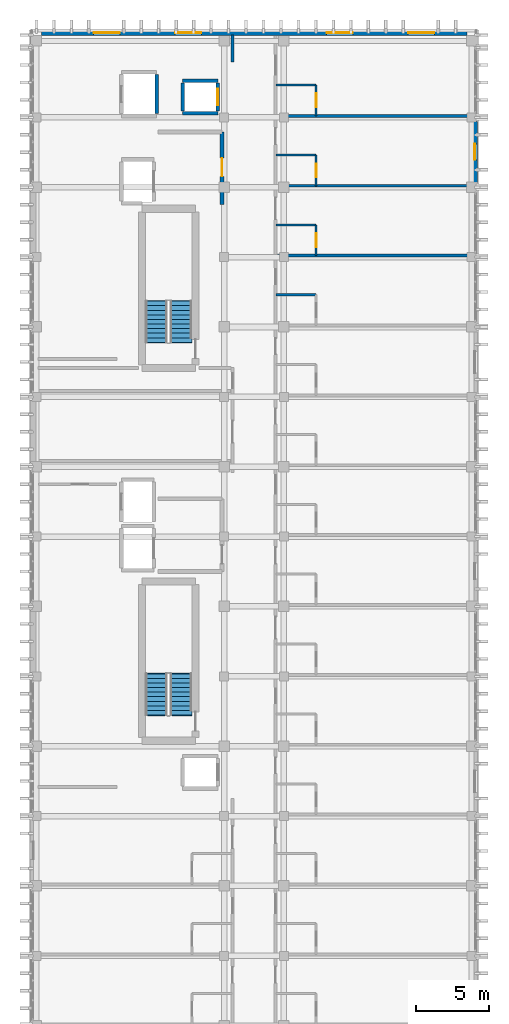
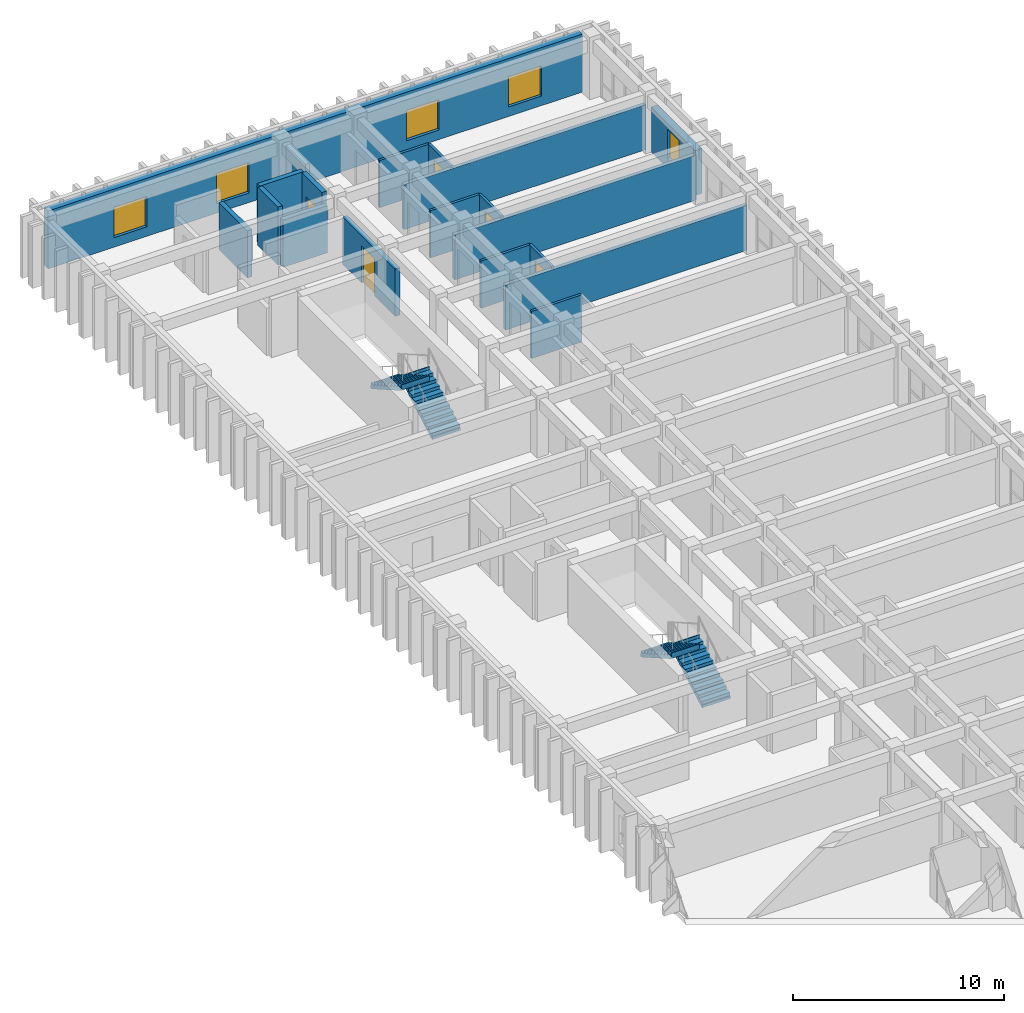
# One storey, part 51 of 59: 19 walls, 5 doors, 5 windows, 4 stair flights, 10 openings, 2 elements without a shape of their own.
"""IFC4 building model written with IfcOpenShell, lengths in metres."""

from ifc_helpers import new_model, si_unit, direction, frame, frame_2d, origin, place, context, subcontext, project, spatial, polyline, rectangle, outline, extrude, material, layer, layer_set, type_object, element, fill, aggregate, save


model = new_model("IFC4")

# Units and contexts
model_context = context("Model", 3, precision=1e-05, world=origin(), true_north=direction((0.0, 1.0)))
body_context = subcontext(model_context, "Body", "Model", "MODEL_VIEW")
ifc_project = project(units=[si_unit("LENGTHUNIT", "METRE"), si_unit("AREAUNIT", "SQUARE_METRE"), si_unit("VOLUMEUNIT", "CUBIC_METRE"), si_unit("PLANEANGLEUNIT", "RADIAN"), si_unit("MASSUNIT", "GRAM", prefix="KILO")], contexts=[model_context])

# Site, building, storey
site_placement = place(None, origin())
site = spatial("IfcSite", under=ifc_project, at=site_placement, CompositionType="ELEMENT")
building_placement = place(site_placement, origin())
building = spatial("IfcBuilding", under=site, at=building_placement, Name="Nakhvara Creek Congress Hotel", CompositionType="ELEMENT")
storey_placement = place(building_placement, frame((0.0, 0.0, 31.800048828125)))
storey = spatial("IfcBuildingStorey", under=building, at=storey_placement, Name="L07", CompositionType="ELEMENT", Elevation=31.800048828125)

# Walls
ifc_material_1 = material(Name="Gypsum acoustic board on steel stud", Category="steel")
ifc_layer_1 = layer(ifc_material_1, 0.219970703125)
ifc_layer_set_1 = layer_set([ifc_layer_1], Name="Gypsum acoustic board on steel stud")
wall_type_1 = type_object("IfcWallType", Name="W-CORR-220", PredefinedType="PARTITIONING", material=ifc_layer_set_1)
wall_1_placement = place(storey_placement, frame((162.919921875, 123.800048828125, 0.0), z_axis=(0.0, 0.0, 1.0), x_axis=(0.0, 1.0, 0.0)))
element("IfcWall", 1, at=wall_1_placement, inside=storey, type_object=wall_type_1, Name="Interior Wall WP11-IW-L07-0520", PredefinedType="PARTITIONING", context=body_context, shape_type="SweptSolid", body=[
    extrude(rectangle(XDim=1.849853515625, YDim=0.219970703125, at=frame_2d((0.9248046875, 0.0))), origin(), (0.0, 0.0, 1.0), 2.60205078125),
])
ifc_material_2 = material(Name="Moisture-resistant gypsum board partition")
ifc_layer_2 = layer(ifc_material_2, 0.139892578125)
ifc_layer_set_2 = layer_set([ifc_layer_2], Name="Moisture-resistant gypsum board partition")
wall_type_2 = type_object("IfcWallType", Name="W-ENS-140", PredefinedType="PARTITIONING", material=ifc_layer_set_2)
wall_2_placement = place(storey_placement, frame((165.919921875, 107.81591796875, 0.0), z_axis=(0.0, 0.0, 1.0), x_axis=(1.0, 0.0, 0.0)))
element("IfcWall", 2, at=wall_2_placement, inside=storey, type_object=wall_type_2, Name="Interior Wall WP15-IW-L07-0575", PredefinedType="PARTITIONING", context=body_context, shape_type="SweptSolid", body=[
    extrude(rectangle(XDim=2.75, YDim=0.139892578125, at=frame_2d((1.375, 0.0))), origin(), (0.0, 0.0, 1.0), 2.73193359375),
])

# Wall, opening, door
wall_3_placement = place(storey_placement, frame((168.669921875, 110.5, 0.0), z_axis=(0.0, 0.0, 1.0), x_axis=(0.0, 1.0, 0.0)))
wall_3 = element("IfcWall", 3, at=wall_3_placement, inside=storey, type_object=wall_type_2, Name="Interior Wall WP15-IW-L07-0577", PredefinedType="PARTITIONING", context=body_context, shape_type="SweptSolid", body=[
    extrude(rectangle(XDim=2.115966796875, YDim=0.139892578125, at=frame_2d((1.05810546875, 0.0))), origin(), (0.0, 0.0, 1.0), 2.73193359375),
])
opening_1_placement = place(wall_3_placement, frame((0.5830078125, 0.0, 0.0)))
opening_1 = element("IfcOpeningElement", 4, at=opening_1_placement, cuts=wall_3, Name="Opening ID02", PredefinedType="OPENING", context=body_context, shape_type="SweptSolid", body=[
    extrude(rectangle(XDim=0.9599609375, YDim=2.1201171875, at=frame_2d((0.47998046875, 1.06005859375))), frame((0.0, 0.08203125, 0.0), z_axis=(0.0, -1.0, 0.0), x_axis=(1.0, 0.0, 0.0)), (0.0, 0.0, 1.0), 0.163818359375),
])
ifc_material_3 = material(Name="Moisture-resistant walnut timber door", Category="wood")
door_type_1 = type_object("IfcDoorType", Name="DT-ENS-096", OperationType="NOTDEFINED", PredefinedType="DOOR", material=ifc_material_3)
door_1_placement = place(opening_1_placement, frame((0.9599609375, 0.0, 0.0), z_axis=(0.0, 0.0, 1.0), x_axis=(-1.0, 0.0, 0.0)))
door_1 = element("IfcDoor", 5, at=door_1_placement, inside=storey, type_object=door_type_1, Name="Interior Door ID02-0433", OperationType="SINGLE_SWING_RIGHT", OverallHeight=2.1201171875, OverallWidth=0.9599609375, PredefinedType="DOOR", context=body_context, shape_type="SweptSolid", body=[
    extrude(rectangle(XDim=0.9599609375, YDim=2.1201171875, at=frame_2d((0.47998046875, 1.06005859375))), frame((0.0, 0.02490234375, 0.0), z_axis=(0.0, -1.0, 0.0), x_axis=(1.0, 0.0, 0.0)), (0.0, 0.0, 1.0), 0.050048828125),
])
fill(opening_1, door_1)

# Wall
wall_4_placement = place(storey_placement, frame((165.919921875, 112.615966796875, 0.0), z_axis=(0.0, 0.0, 1.0), x_axis=(1.0, 0.0, 0.0)))
element("IfcWall", 6, at=wall_4_placement, inside=storey, type_object=wall_type_2, Name="Interior Wall WP15-IW-L07-0578", PredefinedType="PARTITIONING", context=body_context, shape_type="SweptSolid", body=[
    extrude(rectangle(XDim=2.75, YDim=0.139892578125, at=frame_2d((1.375, 0.0))), origin(), (0.0, 0.0, 1.0), 2.73193359375),
])

# Wall, opening, door
wall_5_placement = place(storey_placement, frame((168.669921875, 115.300048828125, 0.0), z_axis=(0.0, 0.0, 1.0), x_axis=(0.0, 1.0, 0.0)))
wall_5 = element("IfcWall", 7, at=wall_5_placement, inside=storey, type_object=wall_type_2, Name="Interior Wall WP15-IW-L07-0580", PredefinedType="PARTITIONING", context=body_context, shape_type="SweptSolid", body=[
    extrude(rectangle(XDim=2.115966796875, YDim=0.139892578125, at=frame_2d((1.05810546875, 0.0))), origin(), (0.0, 0.0, 1.0), 2.73193359375),
])
opening_2_placement = place(wall_5_placement, frame((0.5830078125, 0.0, 0.0)))
opening_2 = element("IfcOpeningElement", 8, at=opening_2_placement, cuts=wall_5, Name="Opening ID01", PredefinedType="OPENING", context=body_context, shape_type="SweptSolid", body=[
    extrude(rectangle(XDim=0.919921875, YDim=2.10009765625, at=frame_2d((0.4599609375, 1.050048828125))), frame((0.0, 0.08203125, 0.0), z_axis=(0.0, -1.0, 0.0), x_axis=(1.0, 0.0, 0.0)), (0.0, 0.0, 1.0), 0.163818359375),
])
door_type_2 = type_object("IfcDoorType", Name="DT-ENS-092", OperationType="NOTDEFINED", PredefinedType="DOOR", material=ifc_material_3)
door_2_placement = place(opening_2_placement, frame((0.919921875, 0.0, 0.0), z_axis=(0.0, 0.0, 1.0), x_axis=(-1.0, 0.0, 0.0)))
door_2 = element("IfcDoor", 9, at=door_2_placement, inside=storey, type_object=door_type_2, Name="Interior Door ID01-0435", OperationType="SINGLE_SWING_RIGHT", OverallHeight=2.10009765625, OverallWidth=0.919921875, PredefinedType="DOOR", context=body_context, shape_type="SweptSolid", body=[
    extrude(rectangle(XDim=0.919921875, YDim=2.10009765625, at=frame_2d((0.4599609375, 1.050048828125))), frame((0.0, 0.02490234375, 0.0), z_axis=(0.0, -1.0, 0.0), x_axis=(1.0, 0.0, 0.0)), (0.0, 0.0, 1.0), 0.050048828125),
])
fill(opening_2, door_2)

# Wall
wall_6_placement = place(storey_placement, frame((165.919921875, 117.416015625, 0.0), z_axis=(0.0, 0.0, 1.0), x_axis=(1.0, 0.0, 0.0)))
element("IfcWall", 10, at=wall_6_placement, inside=storey, type_object=wall_type_2, Name="Interior Wall WP15-IW-L07-0581", PredefinedType="PARTITIONING", context=body_context, shape_type="SweptSolid", body=[
    extrude(rectangle(XDim=2.75, YDim=0.139892578125, at=frame_2d((1.375, 0.0))), origin(), (0.0, 0.0, 1.0), 2.73193359375),
])

# Wall, opening, door
wall_7_placement = place(storey_placement, frame((168.669921875, 120.10009765625, 0.0), z_axis=(0.0, 0.0, 1.0), x_axis=(0.0, 1.0, 0.0)))
wall_7 = element("IfcWall", 11, at=wall_7_placement, inside=storey, type_object=wall_type_2, Name="Interior Wall WP15-IW-L07-0583", PredefinedType="PARTITIONING", context=body_context, shape_type="SweptSolid", body=[
    extrude(rectangle(XDim=2.115966796875, YDim=0.139892578125, at=frame_2d((1.05810546875, 0.0))), origin(), (0.0, 0.0, 1.0), 2.73193359375),
])
opening_3_placement = place(wall_7_placement, frame((0.5830078125, 0.0, 0.0)))
opening_3 = element("IfcOpeningElement", 12, at=opening_3_placement, cuts=wall_7, Name="Opening ID02", PredefinedType="OPENING", context=body_context, shape_type="SweptSolid", body=[
    extrude(rectangle(XDim=0.9599609375, YDim=2.1201171875, at=frame_2d((0.47998046875, 1.06005859375))), frame((0.0, 0.08203125, 0.0), z_axis=(0.0, -1.0, 0.0), x_axis=(1.0, 0.0, 0.0)), (0.0, 0.0, 1.0), 0.163818359375),
])
door_3_placement = place(opening_3_placement, frame((0.9599609375, 0.0, 0.0), z_axis=(0.0, 0.0, 1.0), x_axis=(-1.0, 0.0, 0.0)))
door_3 = element("IfcDoor", 13, at=door_3_placement, inside=storey, type_object=door_type_1, Name="Interior Door ID02-0437", OperationType="SINGLE_SWING_RIGHT", OverallHeight=2.1201171875, OverallWidth=0.9599609375, PredefinedType="DOOR", context=body_context, shape_type="SweptSolid", body=[
    extrude(rectangle(XDim=0.9599609375, YDim=2.1201171875, at=frame_2d((0.47998046875, 1.06005859375))), frame((0.0, 0.02490234375, 0.0), z_axis=(0.0, -1.0, 0.0), x_axis=(1.0, 0.0, 0.0)), (0.0, 0.0, 1.0), 0.050048828125),
])
fill(opening_3, door_3)

# Wall
wall_8_placement = place(storey_placement, frame((165.919921875, 122.216064453125, 0.0), z_axis=(0.0, 0.0, 1.0), x_axis=(1.0, 0.0, 0.0)))
element("IfcWall", 14, at=wall_8_placement, inside=storey, type_object=wall_type_2, Name="Interior Wall WP15-IW-L07-0584", PredefinedType="PARTITIONING", context=body_context, shape_type="SweptSolid", body=[
    extrude(rectangle(XDim=2.75, YDim=0.139892578125, at=frame_2d((1.375, 0.0))), origin(), (0.0, 0.0, 1.0), 2.73193359375),
])

# Wall, openings, windows
ifc_material_4 = material(Name="Honed pale Omani limestone cladding", Category="masonry")
ifc_layer_3 = layer(ifc_material_4, 0.050048828125)
ifc_material_5 = material(Name="Mineral wool thermal insulation")
ifc_layer_4 = layer(ifc_material_5, 0.110107421875)
ifc_material_6 = material(Name="Precast concrete C40/50", Category="concrete")
ifc_layer_5 = layer(ifc_material_6, 0.219970703125)
ifc_layer_set_3 = layer_set([ifc_layer_3, ifc_layer_4, ifc_layer_5], Name="Precast concrete C40/50")
wall_type_3 = type_object("IfcWallType", Name="W-EXT-380", PredefinedType="SOLIDWALL", material=ifc_layer_set_3)
wall_9_placement = place(storey_placement, frame((149.784912109375, 125.81005859375, 0.0), z_axis=(0.0, 0.0, 1.0), x_axis=(1.0, 0.0, 0.0)))
wall_9 = element("IfcWall", 15, at=wall_9_placement, inside=storey, type_object=wall_type_3, Name="Exterior Wall WE03-EW-L07-0176", PredefinedType="SOLIDWALL", context=body_context, shape_type="SweptSolid", body=[
    extrude(rectangle(XDim=29.22998046875, YDim=0.3798828125, at=frame_2d((14.614990234375, 0.0))), origin(), (0.0, 0.0, 1.0), 3.35986328125),
])
opening_4_placement = place(wall_9_placement, frame((3.60009765625, 0.0, 0.550048828125)))
opening_4 = element("IfcOpeningElement", 16, at=opening_4_placement, cuts=wall_9, Name="Opening WN0186", PredefinedType="OPENING", context=body_context, shape_type="SweptSolid", body=[
    extrude(rectangle(XDim=1.800048828125, YDim=1.760009765625, at=frame_2d((0.89990234375, 0.8798828125))), frame((0.0, 0.201904296875, 0.0), z_axis=(0.0, -1.0, 0.0), x_axis=(1.0, 0.0, 0.0)), (0.0, 0.0, 1.0), 0.40380859375),
])
opening_5_placement = place(wall_9_placement, frame((9.199951171875, 0.0, 0.550048828125)))
opening_5 = element("IfcOpeningElement", 17, at=opening_5_placement, cuts=wall_9, Name="Opening WN0187", PredefinedType="OPENING", context=body_context, shape_type="SweptSolid", body=[
    extrude(rectangle(XDim=1.800048828125, YDim=1.760009765625, at=frame_2d((0.89990234375, 0.8798828125))), frame((0.0, 0.201904296875, 0.0), z_axis=(0.0, -1.0, 0.0), x_axis=(1.0, 0.0, 0.0)), (0.0, 0.0, 1.0), 0.40380859375),
])
opening_6_placement = place(wall_9_placement, frame((19.60009765625, 0.0, 0.550048828125)))
opening_6 = element("IfcOpeningElement", 18, at=opening_6_placement, cuts=wall_9, Name="Opening WN0188", PredefinedType="OPENING", context=body_context, shape_type="SweptSolid", body=[
    extrude(rectangle(XDim=1.800048828125, YDim=1.760009765625, at=frame_2d((0.89990234375, 0.8798828125))), frame((0.0, 0.201904296875, 0.0), z_axis=(0.0, -1.0, 0.0), x_axis=(1.0, 0.0, 0.0)), (0.0, 0.0, 1.0), 0.40380859375),
])
opening_7_placement = place(wall_9_placement, frame((25.199951171875, 0.0, 0.550048828125)))
opening_7 = element("IfcOpeningElement", 19, at=opening_7_placement, cuts=wall_9, Name="Opening WN0189", PredefinedType="OPENING", context=body_context, shape_type="SweptSolid", body=[
    extrude(rectangle(XDim=1.800048828125, YDim=1.760009765625, at=frame_2d((0.89990234375, 0.8798828125))), frame((0.0, 0.201904296875, 0.0), z_axis=(0.0, -1.0, 0.0), x_axis=(1.0, 0.0, 0.0)), (0.0, 0.0, 1.0), 0.40380859375),
])
ifc_material_7 = material(Name="Thermally broken bronze-anodised aluminium and double-silver low-E insulated glass", Category="aluminium")
window_type_1 = type_object("IfcWindowType", Name="WN-LAN-180X225", PartitioningType="SINGLE_PANEL", PredefinedType="WINDOW", material=ifc_material_7)
window_1_placement = place(opening_4_placement, origin())
window_1 = element("IfcWindow", 20, at=window_1_placement, inside=storey, type_object=window_type_1, Name="Facade Window WN0186", OverallHeight=1.760009765625, OverallWidth=1.800048828125, PartitioningType="SINGLE_PANEL", PredefinedType="WINDOW", context=body_context, shape_type="SweptSolid", body=[
    extrude(rectangle(XDim=1.800048828125, YDim=1.760009765625, at=frame_2d((0.89990234375, 0.8798828125))), frame((0.0, 0.030029296875, 0.0), z_axis=(0.0, -1.0, 0.0), x_axis=(1.0, 0.0, 0.0)), (0.0, 0.0, 1.0), 0.06005859375),
])
fill(opening_4, window_1)
window_2_placement = place(opening_5_placement, origin())
window_2 = element("IfcWindow", 21, at=window_2_placement, inside=storey, type_object=window_type_1, Name="Facade Window WN0187", OverallHeight=1.760009765625, OverallWidth=1.800048828125, PartitioningType="SINGLE_PANEL", PredefinedType="WINDOW", context=body_context, shape_type="SweptSolid", body=[
    extrude(rectangle(XDim=1.800048828125, YDim=1.760009765625, at=frame_2d((0.89990234375, 0.8798828125))), frame((0.0, 0.030029296875, 0.0), z_axis=(0.0, -1.0, 0.0), x_axis=(1.0, 0.0, 0.0)), (0.0, 0.0, 1.0), 0.06005859375),
])
fill(opening_5, window_2)
window_3_placement = place(opening_6_placement, origin())
window_3 = element("IfcWindow", 22, at=window_3_placement, inside=storey, type_object=window_type_1, Name="Facade Window WN0188", OverallHeight=1.760009765625, OverallWidth=1.800048828125, PartitioningType="SINGLE_PANEL", PredefinedType="WINDOW", context=body_context, shape_type="SweptSolid", body=[
    extrude(rectangle(XDim=1.800048828125, YDim=1.760009765625, at=frame_2d((0.89990234375, 0.8798828125))), frame((0.0, 0.030029296875, 0.0), z_axis=(0.0, -1.0, 0.0), x_axis=(1.0, 0.0, 0.0)), (0.0, 0.0, 1.0), 0.06005859375),
])
fill(opening_6, window_3)
window_4_placement = place(opening_7_placement, origin())
window_4 = element("IfcWindow", 23, at=window_4_placement, inside=storey, type_object=window_type_1, Name="Facade Window WN0189", OverallHeight=1.760009765625, OverallWidth=1.800048828125, PartitioningType="SINGLE_PANEL", PredefinedType="WINDOW", context=body_context, shape_type="SweptSolid", body=[
    extrude(rectangle(XDim=1.800048828125, YDim=1.760009765625, at=frame_2d((0.89990234375, 0.8798828125))), frame((0.0, 0.030029296875, 0.0), z_axis=(0.0, -1.0, 0.0), x_axis=(1.0, 0.0, 0.0)), (0.0, 0.0, 1.0), 0.06005859375),
])
fill(opening_7, window_4)

# Wall, opening, window
wall_10_placement = place(storey_placement, frame((179.56005859375, 119.715087890625, 0.0), z_axis=(0.0, 0.0, 1.0), x_axis=(0.0, -1.0, 0.0)))
wall_10 = element("IfcWall", 24, at=wall_10_placement, inside=storey, type_object=wall_type_3, Name="Exterior Wall WE03-EW-L07-0187", PredefinedType="SOLIDWALL", context=body_context, shape_type="SweptSolid", body=[
    extrude(rectangle(XDim=4.18017578125, YDim=0.3798828125, at=frame_2d((2.090087890625, 0.0))), origin(), (0.0, 0.0, 1.0), 2.60205078125),
])
opening_8_placement = place(wall_10_placement, frame((1.5400390625, 0.0, 0.550048828125)))
opening_8 = element("IfcOpeningElement", 25, at=opening_8_placement, cuts=wall_10, Name="Opening WN0200", PredefinedType="OPENING", context=body_context, shape_type="SweptSolid", body=[
    extrude(rectangle(XDim=1.10009765625, YDim=1.699951171875, at=frame_2d((0.550048828125, 0.85009765625))), frame((0.0, 0.201904296875, 0.0), z_axis=(0.0, -1.0, 0.0), x_axis=(1.0, 0.0, 0.0)), (0.0, 0.0, 1.0), 0.40380859375),
])
window_type_2 = type_object("IfcWindowType", Name="WN-LAN-110X215", PartitioningType="SINGLE_PANEL", PredefinedType="WINDOW", material=ifc_material_7)
window_5_placement = place(opening_8_placement, origin())
window_5 = element("IfcWindow", 26, at=window_5_placement, inside=storey, type_object=window_type_2, Name="Facade Window WN0200", OverallHeight=1.699951171875, OverallWidth=1.10009765625, PartitioningType="SINGLE_PANEL", PredefinedType="WINDOW", context=body_context, shape_type="SweptSolid", body=[
    extrude(rectangle(XDim=1.10009765625, YDim=1.699951171875, at=frame_2d((0.550048828125, 0.85009765625))), frame((0.0, 0.030029296875, 0.0), z_axis=(0.0, -1.0, 0.0), x_axis=(1.0, 0.0, 0.0)), (0.0, 0.0, 1.0), 0.06005859375),
])
fill(opening_8, window_5)

# Wall, opening, door
ifc_material_8 = material(Name="Concrete C40/50", Category="concrete")
ifc_layer_6 = layer(ifc_material_8, 0.260009765625)
ifc_layer_set_4 = layer_set([ifc_layer_6], Name="Concrete C40/50")
wall_type_4 = type_object("IfcWallType", Name="W-FFL-260", PredefinedType="SOLIDWALL", material=ifc_layer_set_4)
wall_11_placement = place(storey_placement, frame((162.199951171875, 114.0, 0.0), z_axis=(0.0, 0.0, 1.0), x_axis=(0.0, 1.0, 0.0)))
wall_11 = element("IfcWall", 27, at=wall_11_placement, inside=storey, type_object=wall_type_4, Name="Core Shear Wall WI03-CWALL-L07-0446", PredefinedType="SOLIDWALL", context=body_context, shape_type="SweptSolid", body=[
    extrude(rectangle(XDim=5.0, YDim=0.260009765625, at=frame_2d((2.5, 0.0))), origin(), (0.0, 0.0, 1.0), 2.73193359375),
])
opening_9_placement = place(wall_11_placement, frame((1.949951171875, 0.0, 0.0)))
opening_9 = element("IfcOpeningElement", 28, at=opening_9_placement, cuts=wall_11, Name="Opening FD05", PredefinedType="OPENING", context=body_context, shape_type="SweptSolid", body=[
    extrude(rectangle(XDim=1.25, YDim=2.14990234375, at=frame_2d((0.625, 1.074951171875))), frame((0.0, 0.14208984375, 0.0), z_axis=(0.0, -1.0, 0.0), x_axis=(1.0, 0.0, 0.0)), (0.0, 0.0, 1.0), 0.283935546875),
])
ifc_material_9 = material(Name="Hardwood-veneered steel fire door", Category="steel")
door_type_3 = type_object("IfcDoorType", Name="DT-FFL-125", OperationType="NOTDEFINED", PredefinedType="DOOR", material=ifc_material_9)
door_4_placement = place(opening_9_placement, origin())
door_4 = element("IfcDoor", 29, at=door_4_placement, inside=storey, type_object=door_type_3, Name="Firefighting Lobby Door C2-L07", OperationType="DOUBLE_DOOR_SINGLE_SWING", OverallHeight=2.14990234375, OverallWidth=1.25, PredefinedType="DOOR", context=body_context, shape_type="SweptSolid", body=[
    extrude(rectangle(XDim=1.25, YDim=2.14990234375, at=frame_2d((0.625, 1.074951171875))), frame((0.0, 0.02490234375, 0.0), z_axis=(0.0, -1.0, 0.0), x_axis=(1.0, 0.0, 0.0)), (0.0, 0.0, 1.0), 0.050048828125),
])
fill(opening_9, door_4)

# Walls
ifc_layer_7 = layer(ifc_material_1, 0.199951171875)
ifc_layer_set_5 = layer_set([ifc_layer_7], Name="Gypsum acoustic board on steel stud")
wall_type_5 = type_object("IfcWallType", Name="W-PART-200", PredefinedType="PARTITIONING", material=ifc_layer_set_5)
for number, where, z_axis, x_axis, name in (
    (30, (166.02001953125, 110.5, 0.0), (0.0, 0.0, 1.0), (1.0, 0.0, 0.0), "Interior Wall WP12-IW-L07-0576"),
    (31, (166.02001953125, 115.300048828125, 0.0), (0.0, 0.0, 1.0), (1.0, 0.0, 0.0), "Interior Wall WP12-IW-L07-0579"),
    (32, (166.02001953125, 120.10009765625, 0.0), (0.0, 0.0, 1.0), (1.0, 0.0, 0.0), "Interior Wall WP12-IW-L07-0582"),
):
    element("IfcWall", number, at=place(storey_placement, frame(where, z_axis=z_axis, x_axis=x_axis)), inside=storey, type_object=wall_type_5, Name=name, PredefinedType="PARTITIONING", context=body_context, shape_type="SweptSolid", body=[
        extrude(rectangle(XDim=13.22998046875, YDim=0.199951171875, at=frame_2d((6.614990234375, 0.0))), origin(), (0.0, 0.0, 1.0), 2.60205078125),
    ])
ifc_layer_8 = layer(ifc_material_8, 0.25)
ifc_layer_set_6 = layer_set([ifc_layer_8], Name="Concrete C40/50")
wall_type_6 = type_object("IfcWallType", Name="W-SHAFT-250", PredefinedType="SOLIDWALL", material=ifc_layer_set_6)
wall_12_placement = place(storey_placement, frame((159.489990234375, 120.2900390625, 0.0), z_axis=(0.0, 0.0, 1.0), x_axis=(1.0, 0.0, 0.0)))
element("IfcWall", 33, at=wall_12_placement, inside=storey, type_object=wall_type_6, Name="Core Shear Wall WI02-CWALL-L07-0438", PredefinedType="SOLIDWALL", context=body_context, shape_type="SweptSolid", body=[
    extrude(rectangle(XDim=2.419921875, YDim=0.25, at=frame_2d((1.2099609375, 0.0))), origin(), (0.0, 0.0, 1.0), 2.73193359375),
])
wall_13_placement = place(storey_placement, frame((159.489990234375, 122.510009765625, 0.0), z_axis=(0.0, 0.0, 1.0), x_axis=(1.0, 0.0, 0.0)))
element("IfcWall", 34, at=wall_13_placement, inside=storey, type_object=wall_type_6, Name="Core Shear Wall WI02-CWALL-L07-0439", PredefinedType="SOLIDWALL", context=body_context, shape_type="SweptSolid", body=[
    extrude(rectangle(XDim=2.419921875, YDim=0.25, at=frame_2d((1.2099609375, 0.0))), origin(), (0.0, 0.0, 1.0), 3.35986328125),
])
wall_14_placement = place(storey_placement, frame((159.489990234375, 120.449951171875, 0.0), z_axis=(0.0, 0.0, 1.0), x_axis=(0.0, 1.0, 0.0)))
element("IfcWall", 35, at=wall_14_placement, inside=storey, type_object=wall_type_6, Name="Core Shear Wall WI02-CWALL-L07-0440", PredefinedType="SOLIDWALL", context=body_context, shape_type="SweptSolid", body=[
    extrude(rectangle(XDim=1.900146484375, YDim=0.25, at=frame_2d((0.9501953125, 0.0))), origin(), (0.0, 0.0, 1.0), 3.35986328125),
])

# Wall, opening, door
wall_15_placement = place(storey_placement, frame((161.909912109375, 120.449951171875, 0.0), z_axis=(0.0, 0.0, 1.0), x_axis=(0.0, 1.0, 0.0)))
wall_15 = element("IfcWall", 36, at=wall_15_placement, inside=storey, type_object=wall_type_6, Name="Core Shear Wall WI02-CWALL-L07-0441", PredefinedType="SOLIDWALL", context=body_context, shape_type="SweptSolid", body=[
    extrude(rectangle(XDim=1.900146484375, YDim=0.25, at=frame_2d((0.9501953125, 0.0))), origin(), (0.0, 0.0, 1.0), 3.35986328125),
])
opening_10_placement = place(wall_15_placement, frame((0.39990234375, 0.0, 0.0)))
opening_10 = element("IfcOpeningElement", 37, at=opening_10_placement, cuts=wall_15, Name="Opening LD01", PredefinedType="OPENING", context=body_context, shape_type="SweptSolid", body=[
    extrude(rectangle(XDim=1.10009765625, YDim=2.199951171875, at=frame_2d((0.550048828125, 1.10009765625))), frame((0.0, 0.136962890625, 0.0), z_axis=(0.0, -1.0, 0.0), x_axis=(1.0, 0.0, 0.0)), (0.0, 0.0, 1.0), 0.27392578125),
])
ifc_material_10 = material(Name="Brushed stainless steel sliding landing door", Category="steel")
door_type_4 = type_object("IfcDoorType", Name="DT-LIFT-110", OperationType="DOUBLE_DOOR_SLIDING", PredefinedType="DOOR", material=ifc_material_10)
door_5_placement = place(opening_10_placement, origin())
door_5 = element("IfcDoor", 38, at=door_5_placement, inside=storey, type_object=door_type_4, Name="Landing Door PL01-L07", OperationType="SLIDING_TO_LEFT", OverallHeight=2.199951171875, OverallWidth=1.10009765625, PredefinedType="DOOR", context=body_context, shape_type="SweptSolid", body=[
    extrude(rectangle(XDim=1.10009765625, YDim=2.199951171875, at=frame_2d((0.550048828125, 1.10009765625))), frame((0.0, 0.02490234375, 0.0), z_axis=(0.0, -1.0, 0.0), x_axis=(1.0, 0.0, 0.0)), (0.0, 0.0, 1.0), 0.050048828125),
])
fill(opening_10, door_5)

# Wall
wall_16_placement = place(storey_placement, frame((157.7099609375, 120.25, 0.0), z_axis=(0.0, 0.0, 1.0), x_axis=(0.0, 1.0, 0.0)))
element("IfcWall", 39, at=wall_16_placement, inside=storey, type_object=wall_type_6, Name="Core Shear Wall WI02-CWALL-L07-0445", PredefinedType="SOLIDWALL", context=body_context, shape_type="SweptSolid", body=[
    extrude(rectangle(XDim=2.699951171875, YDim=0.25, at=frame_2d((1.35009765625, 0.0))), origin(), (0.0, 0.0, 1.0), 2.73193359375),
])

# Stair, stair flights
stair_type = type_object("IfcStairType", Name="ST-CORE-160", PredefinedType="HALF_TURN_STAIR", material=ifc_material_8)
stair_1_placement = place(storey_placement, origin())
stair_1 = element("IfcStair", 40, at=stair_1_placement, inside=storey, type_object=stair_type, Name="L07 Protected Exit Stair ST01", PredefinedType="HALF_TURN_STAIR")
ifc_layer_9 = layer(ifc_material_8, 0.18994140625)
ifc_layer_set_7 = layer_set([ifc_layer_9], Name="Concrete C40/50")
stair_flight_type = type_object("IfcStairFlightType", Name="SFL-RC-160", PredefinedType="STRAIGHT", material=ifc_layer_set_7)
stair_flight_1_placement = place(storey_placement, frame((159.3798828125, 78.93994140625, 0.0), z_axis=(0.0, 0.0, 1.0), x_axis=(0.0, 1.0, 0.0)))
stair_flight_1 = element("IfcStairFlight", 41, at=stair_flight_1_placement, type_object=stair_flight_type, Name="ST01 flight 1", NumberOfRisers=10, NumberOfTreads=9, PredefinedType="STRAIGHT", RiserHeight=0.18, TreadLength=0.315, context=body_context, shape_type="SweptSolid", body=[
    extrude(outline(polyline([(-0.048095703125, 0.0), (0.0, 0.0), (0.0, 0.179931640625), (0.31494140625, 0.179931640625), (0.31494140625, 0.360107421875), (0.6298828125, 0.360107421875), (0.6298828125, 0.5400390625), (0.945068359375, 0.5400390625), (0.945068359375, 0.719970703125), (1.260009765625, 0.719970703125), (1.260009765625, 0.89990234375), (1.574951171875, 0.89990234375), (1.574951171875, 1.080078125), (1.889892578125, 1.080078125), (1.889892578125, 1.260009765625), (2.205078125, 1.260009765625), (2.205078125, 1.43994140625), (2.52001953125, 1.43994140625), (2.52001953125, 1.6201171875), (2.8349609375, 1.6201171875), (2.8349609375, 1.800048828125), (2.883056640625, 1.800048828125), (2.883056640625, 1.650146484375), (2.8349609375, 1.447265625), (0.039794921875, -0.14990234375), (-0.048095703125, -0.14990234375), (-0.048095703125, 0.0)])), frame((0.0, 0.77001953125, 0.0), z_axis=(0.0, -1.0, 0.0), x_axis=(1.0, 0.0, 0.0)), (0.0, 0.0, 1.0), 1.5400390625),
])
stair_flight_2_placement = place(storey_placement, frame((157.68994140625, 81.77490234375, 1.800048828125), z_axis=(0.0, 0.0, 1.0), x_axis=(0.0, -1.0, 0.0)))
stair_flight_2 = element("IfcStairFlight", 42, at=stair_flight_2_placement, type_object=stair_flight_type, Name="ST01 flight 2", NumberOfRisers=10, NumberOfTreads=9, PredefinedType="STRAIGHT", RiserHeight=0.18, TreadLength=0.315, context=body_context, shape_type="SweptSolid", body=[
    extrude(outline(polyline([(-0.048095703125, 0.0), (0.0, 0.0), (0.0, 0.179931640625), (0.31494140625, 0.179931640625), (0.31494140625, 0.360107421875), (0.6298828125, 0.360107421875), (0.6298828125, 0.5400390625), (0.945068359375, 0.5400390625), (0.945068359375, 0.719970703125), (1.260009765625, 0.719970703125), (1.260009765625, 0.89990234375), (1.574951171875, 0.89990234375), (1.574951171875, 1.080078125), (1.889892578125, 1.080078125), (1.889892578125, 1.260009765625), (2.205078125, 1.260009765625), (2.205078125, 1.43994140625), (2.52001953125, 1.43994140625), (2.52001953125, 1.6201171875), (2.8349609375, 1.6201171875), (2.8349609375, 1.800048828125), (2.883056640625, 1.800048828125), (2.883056640625, 1.650146484375), (2.8349609375, 1.447265625), (0.039794921875, -0.14990234375), (-0.048095703125, -0.14990234375), (-0.048095703125, 0.0)])), frame((0.0, 0.77001953125, 0.0), z_axis=(0.0, -1.0, 0.0), x_axis=(1.0, 0.0, 0.0)), (0.0, 0.0, 1.0), 1.5400390625),
])
aggregate(stair_1, [stair_flight_1, stair_flight_2])

stair_2_placement = place(storey_placement, origin())
stair_2 = element("IfcStair", 43, at=stair_2_placement, inside=storey, type_object=stair_type, Name="L07 Protected Exit Stair ST02", PredefinedType="HALF_TURN_STAIR")
stair_flight_3_placement = place(storey_placement, frame((159.3798828125, 104.5400390625, 0.0), z_axis=(0.0, 0.0, 1.0), x_axis=(0.0, 1.0, 0.0)))
stair_flight_3 = element("IfcStairFlight", 44, at=stair_flight_3_placement, type_object=stair_flight_type, Name="ST02 flight 1", NumberOfRisers=10, NumberOfTreads=9, PredefinedType="STRAIGHT", RiserHeight=0.18, TreadLength=0.315, context=body_context, shape_type="SweptSolid", body=[
    extrude(outline(polyline([(-0.048095703125, 0.0), (0.0, 0.0), (0.0, 0.179931640625), (0.31494140625, 0.179931640625), (0.31494140625, 0.360107421875), (0.6298828125, 0.360107421875), (0.6298828125, 0.5400390625), (0.945068359375, 0.5400390625), (0.945068359375, 0.719970703125), (1.260009765625, 0.719970703125), (1.260009765625, 0.89990234375), (1.574951171875, 0.89990234375), (1.574951171875, 1.080078125), (1.889892578125, 1.080078125), (1.889892578125, 1.260009765625), (2.205078125, 1.260009765625), (2.205078125, 1.43994140625), (2.52001953125, 1.43994140625), (2.52001953125, 1.6201171875), (2.8349609375, 1.6201171875), (2.8349609375, 1.800048828125), (2.883056640625, 1.800048828125), (2.883056640625, 1.650146484375), (2.8349609375, 1.447265625), (0.039794921875, -0.14990234375), (-0.048095703125, -0.14990234375), (-0.048095703125, 0.0)])), frame((0.0, 0.77001953125, 0.0), z_axis=(0.0, -1.0, 0.0), x_axis=(1.0, 0.0, 0.0)), (0.0, 0.0, 1.0), 1.5400390625),
])
stair_flight_4_placement = place(storey_placement, frame((157.68994140625, 107.375, 1.800048828125), z_axis=(0.0, 0.0, 1.0), x_axis=(0.0, -1.0, 0.0)))
stair_flight_4 = element("IfcStairFlight", 45, at=stair_flight_4_placement, type_object=stair_flight_type, Name="ST02 flight 2", NumberOfRisers=10, NumberOfTreads=9, PredefinedType="STRAIGHT", RiserHeight=0.18, TreadLength=0.315, context=body_context, shape_type="SweptSolid", body=[
    extrude(outline(polyline([(-0.048095703125, 0.0), (0.0, 0.0), (0.0, 0.179931640625), (0.31494140625, 0.179931640625), (0.31494140625, 0.360107421875), (0.6298828125, 0.360107421875), (0.6298828125, 0.5400390625), (0.945068359375, 0.5400390625), (0.945068359375, 0.719970703125), (1.260009765625, 0.719970703125), (1.260009765625, 0.89990234375), (1.574951171875, 0.89990234375), (1.574951171875, 1.080078125), (1.889892578125, 1.080078125), (1.889892578125, 1.260009765625), (2.205078125, 1.260009765625), (2.205078125, 1.43994140625), (2.52001953125, 1.43994140625), (2.52001953125, 1.6201171875), (2.8349609375, 1.6201171875), (2.8349609375, 1.800048828125), (2.883056640625, 1.800048828125), (2.883056640625, 1.650146484375), (2.8349609375, 1.447265625), (0.039794921875, -0.14990234375), (-0.048095703125, -0.14990234375), (-0.048095703125, 0.0)])), frame((0.0, 0.77001953125, 0.0), z_axis=(0.0, -1.0, 0.0), x_axis=(1.0, 0.0, 0.0)), (0.0, 0.0, 1.0), 1.5400390625),
])
aggregate(stair_2, [stair_flight_3, stair_flight_4])

save(model, "model.ifc")
